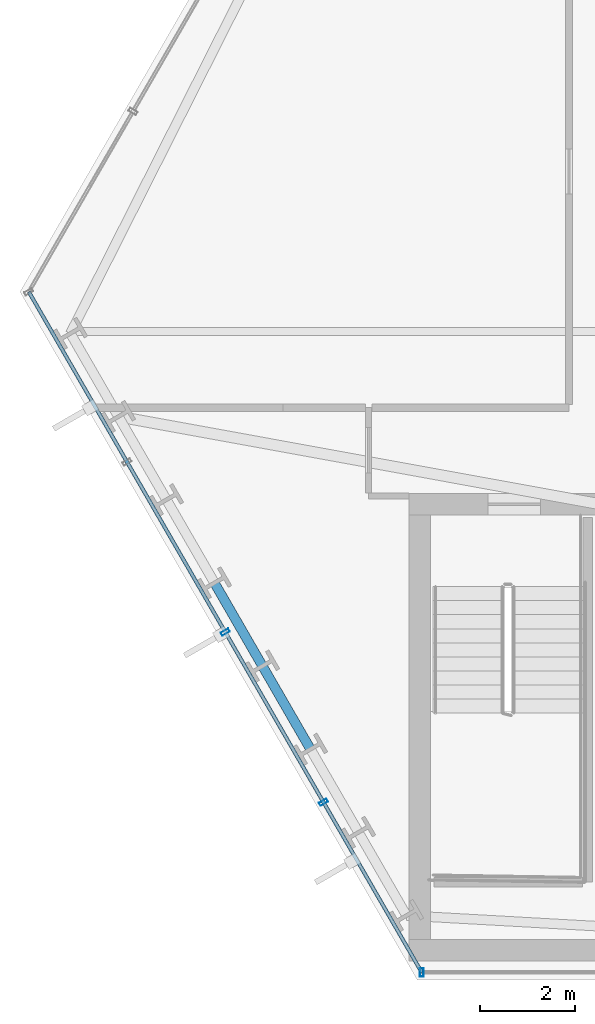
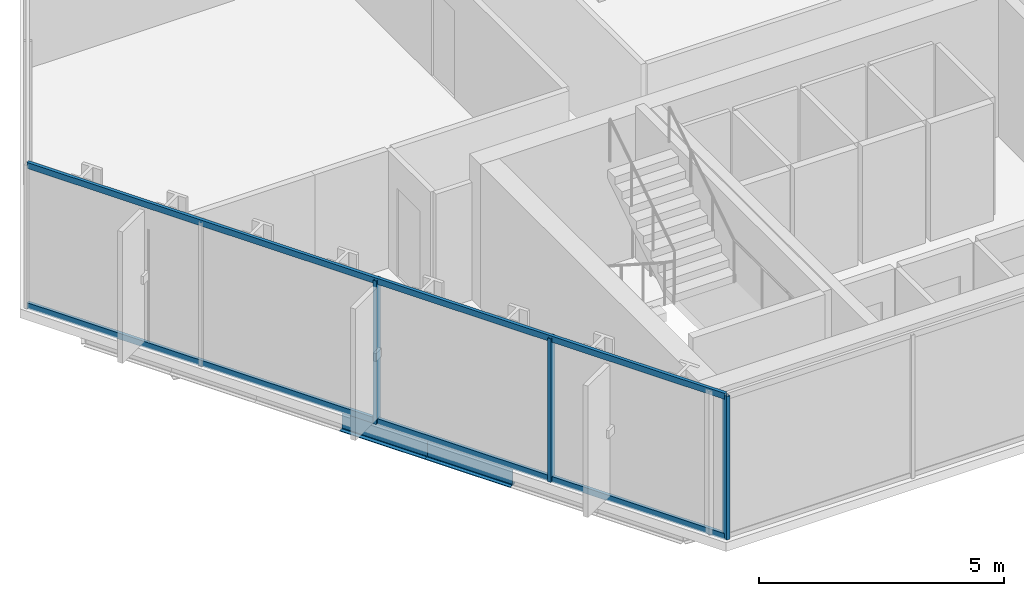
# One storey, part 2 of 33: 5 members, 2 beams, 2 elements without a shape of their own.
"""IFC4 building model written with IfcOpenShell, lengths in metres."""

from ifc_helpers import new_model, si_unit, direction, frame, origin, origin_2d, place, context, subcontext, project, spatial, hollow_rectangle, i_section, extrude, material, layer, layer_set, material_profile, profile_set, type_object, element, aggregate, save


model = new_model("IFC4")

# Units and contexts
model_context = context("Model", 3, precision=1e-05, world=origin(), true_north=direction((0.0, 1.0)))
body_context = subcontext(model_context, "Body", "Model", "MODEL_VIEW")
ifc_project = project(units=[si_unit("LENGTHUNIT", "METRE"), si_unit("AREAUNIT", "SQUARE_METRE"), si_unit("VOLUMEUNIT", "CUBIC_METRE"), si_unit("PLANEANGLEUNIT", "RADIAN"), si_unit("MASSUNIT", "GRAM", prefix="KILO")], contexts=[model_context])

# Site, building, storey
site_placement = place(None, origin())
site = spatial("IfcSite", under=ifc_project, at=site_placement, CompositionType="ELEMENT")
building_placement = place(site_placement, origin())
building = spatial("IfcBuilding", under=site, at=building_placement, Name="Ndaravel Arena Tower", CompositionType="ELEMENT")
storey_placement = place(building_placement, frame((0.0, 0.0, 39.800048828125)))
storey = spatial("IfcBuildingStorey", under=building, at=storey_placement, Name="L07", CompositionType="ELEMENT", Elevation=39.800048828125)

# Beams
ifc_material_1 = material(Name="Steel S355", Category="steel")
ifc_material_profile_1 = material_profile(ifc_material_1, i_section(OverallWidth=0.199951171875, OverallDepth=0.5, WebThickness=0.01025390625, FlangeThickness=0.01611328125, FilletRadius=0.02099609375, at=origin_2d()), Name="IPE 500")
ifc_profile_set_1 = profile_set([ifc_material_profile_1], Name="Steel S355")
beam_type = type_object("IfcBeamType", Name="BM-SPAN-IPE500", PredefinedType="SPANDREL", material=ifc_profile_set_1)
beam_1_placement = place(storey_placement, frame((22.3662109375, 13.326904296875, -0.469970703125), z_axis=(0.499907881037, -0.86607858216, 0.0), x_axis=(0.86607858216, 0.499907881037, 0.0)))
element("IfcBeam", 1, at=beam_1_placement, inside=storey, type_object=beam_type, Name="L07 Perimeter Spandrel Beam SP-23", PredefinedType="SPANDREL", context=body_context, shape_type="SweptSolid", body=[
    extrude(i_section(OverallWidth=0.199951171875, OverallDepth=0.5, WebThickness=0.01025390625, FlangeThickness=0.01611328125, FilletRadius=0.02099609375, at=origin_2d()), origin(), (0.0, 0.0, 1.0), 2.013671875),
])
beam_2_placement = place(storey_placement, frame((23.372802734375, 11.5830078125, -0.469970703125), z_axis=(0.500051323872, -0.865995769906, 0.0), x_axis=(0.865995769906, 0.500051323872, 0.0)))
element("IfcBeam", 2, at=beam_2_placement, inside=storey, type_object=beam_type, Name="L07 Perimeter Spandrel Beam SP-24", PredefinedType="SPANDREL", context=body_context, shape_type="SweptSolid", body=[
    extrude(i_section(OverallWidth=0.199951171875, OverallDepth=0.5, WebThickness=0.01025390625, FlangeThickness=0.01611328125, FilletRadius=0.02099609375, at=origin_2d()), origin(), (0.0, 0.0, 1.0), 2.013427734375),
])

# Curtain wall, member
ifc_material_2 = material(Name="Aluminium", Category="aluminium")
ifc_layer_1 = layer(ifc_material_2, 0.179931640625)
ifc_layer_set_1 = layer_set([ifc_layer_1], Name="Aluminium")
curtain_wall_type_1 = type_object("IfcCurtainWallType", Name="CW-SYS-03", PredefinedType="NOTDEFINED", material=ifc_layer_set_1)
curtain_wall_1_placement = place(storey_placement, origin())
curtain_wall_1 = element("IfcCurtainWall", 3, at=curtain_wall_1_placement, inside=storey, type_object=curtain_wall_type_1, Name="L07 Faceted Crystal Curtain Wall CW-L07-E01", PredefinedType="NOTDEFINED")
ifc_material_3 = material(Name="Aluminium", Category="aluminium")
ifc_material_profile_2 = material_profile(ifc_material_3, hollow_rectangle(XDim=0.074951171875, YDim=0.179931640625, WallThickness=0.00390625, at=origin_2d()), Name="CW MULLION 75x180x4")
ifc_profile_set_2 = profile_set([ifc_material_profile_2], Name="Aluminium")
member_type_1 = type_object("IfcMemberType", Name="MEM-CW-MUL180", PredefinedType="MULLION", material=ifc_profile_set_2)
member_1_placement = place(storey_placement, frame((26.7119140625, 5.159912109375, 0.0), z_axis=(0.0, 0.0, 1.0), x_axis=(1.0, 0.0, 0.0)))
member_1 = element("IfcMember", 4, at=member_1_placement, type_object=member_type_1, Name="CW-L07-E01 Mullion 00", PredefinedType="MULLION", context=body_context, shape_type="SweptSolid", body=[
    extrude(hollow_rectangle(XDim=0.074951171875, YDim=0.179931640625, WallThickness=0.00390625, at=origin_2d()), origin(), (0.0, 0.0, 1.0), 3.579833984375),
])
aggregate(curtain_wall_1, [member_1])

# Curtain wall, members
ifc_material_4 = material(Name="Aluminium", Category="aluminium")
ifc_layer_2 = layer(ifc_material_4, 0.179931640625)
ifc_layer_set_2 = layer_set([ifc_layer_2], Name="Aluminium")
curtain_wall_type_2 = type_object("IfcCurtainWallType", Name="CW-SYS-02", PredefinedType="NOTDEFINED", material=ifc_layer_set_2)
curtain_wall_2_placement = place(storey_placement, origin())
curtain_wall_2 = element("IfcCurtainWall", 5, at=curtain_wall_2_placement, inside=storey, type_object=curtain_wall_type_2, Name="L07 Faceted Crystal Curtain Wall CW-L07-E06", PredefinedType="NOTDEFINED")
member_2_placement = place(storey_placement, frame((22.59228515625, 12.294921875, 0.0), z_axis=(0.0, 0.0, 1.0), x_axis=(0.5, -0.866025403784, 0.0)))
member_2 = element("IfcMember", 6, at=member_2_placement, type_object=member_type_1, Name="CW-L07-E06 Mullion 02", PredefinedType="MULLION", context=body_context, shape_type="SweptSolid", body=[
    extrude(hollow_rectangle(XDim=0.074951171875, YDim=0.179931640625, WallThickness=0.00390625, at=origin_2d()), origin(), (0.0, 0.0, 1.0), 3.579833984375),
])
member_3_placement = place(storey_placement, frame((24.652099609375, 8.7275390625, 0.0), z_axis=(0.0, 0.0, 1.0), x_axis=(0.5, -0.866025403784, 0.0)))
member_3 = element("IfcMember", 7, at=member_3_placement, type_object=member_type_1, Name="CW-L07-E06 Mullion 03", PredefinedType="MULLION", context=body_context, shape_type="SweptSolid", body=[
    extrude(hollow_rectangle(XDim=0.074951171875, YDim=0.179931640625, WallThickness=0.00390625, at=origin_2d()), origin(), (0.0, 0.0, 1.0), 3.579833984375),
])
ifc_material_5 = material(Name="Aluminium", Category="aluminium")
ifc_material_profile_3 = material_profile(ifc_material_5, hollow_rectangle(XDim=0.074951171875, YDim=0.14990234375, WallThickness=0.00390625, at=origin_2d()), Name="CW TRANSOM 75x150x4")
ifc_profile_set_3 = profile_set([ifc_material_profile_3], Name="Aluminium")
member_type_2 = type_object("IfcMemberType", Name="MEM-CW-TRN150", PredefinedType="USERDEFINED", material=ifc_profile_set_3)
member_4_placement = place(storey_placement, frame((18.472900390625, 19.429931640625, 0.0400390625), z_axis=(0.500009742867, -0.866019778664, 0.0), x_axis=(0.866019778664, 0.500009742867, 0.0)))
member_4 = element("IfcMember", 8, at=member_4_placement, type_object=member_type_2, Name="CW-L07-E06 Transom 01", ObjectType="TRANSOM", PredefinedType="USERDEFINED", context=body_context, shape_type="SweptSolid", body=[
    extrude(hollow_rectangle(XDim=0.074951171875, YDim=0.14990234375, WallThickness=0.00390625, at=origin_2d()), origin(), (0.0, 0.0, 1.0), 16.477783203125),
])
member_5_placement = place(storey_placement, frame((18.472900390625, 19.429931640625, 3.5400390625), z_axis=(0.500009742867, -0.866019778664, 0.0), x_axis=(0.866019778664, 0.500009742867, 0.0)))
member_5 = element("IfcMember", 9, at=member_5_placement, type_object=member_type_2, Name="CW-L07-E06 Transom 02", ObjectType="TRANSOM", PredefinedType="USERDEFINED", context=body_context, shape_type="SweptSolid", body=[
    extrude(hollow_rectangle(XDim=0.074951171875, YDim=0.14990234375, WallThickness=0.00390625, at=origin_2d()), origin(), (0.0, 0.0, 1.0), 16.477783203125),
])
aggregate(curtain_wall_2, [member_2, member_3, member_4, member_5])

save(model, "model.ifc")
